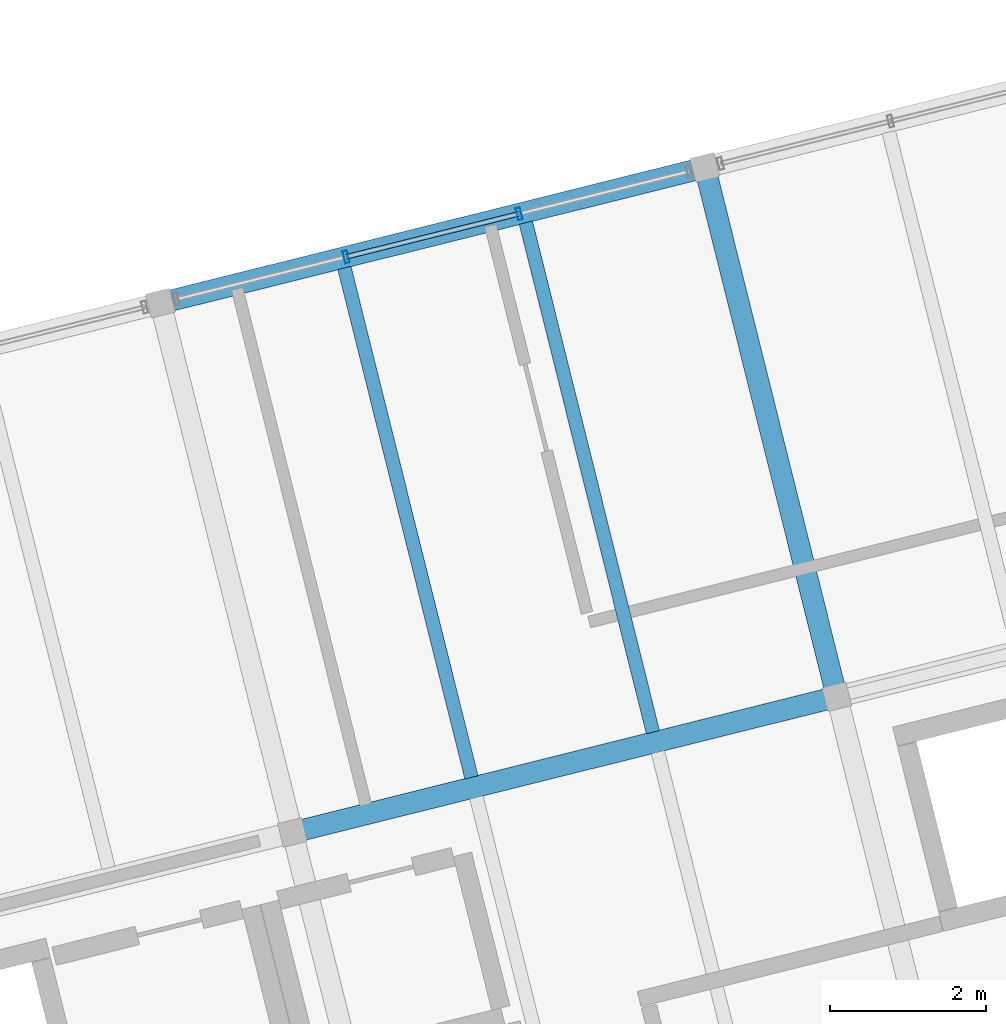
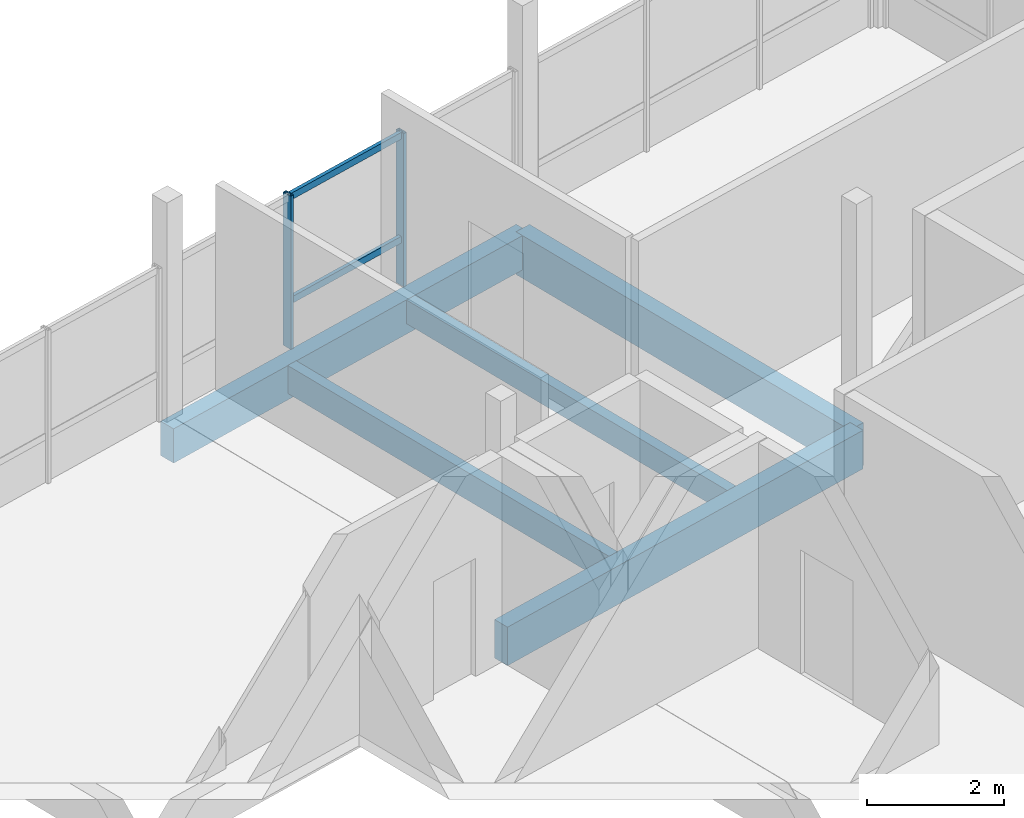
# One storey, part 15 of 24: 5 beams, 4 members, 1 element without a shape of its own.
"""IFC4 building model written with IfcOpenShell, lengths in metres."""

from ifc_helpers import new_model, si_unit, direction, frame, origin, origin_2d, place, context, subcontext, project, spatial, rectangle, hollow_rectangle, extrude, material, layer, layer_set, material_profile, profile_set, type_object, element, aggregate, save


model = new_model("IFC4")

# Units and contexts
model_context = context("Model", 3, precision=1e-05, world=origin(), true_north=direction((0.0, 1.0)))
body_context = subcontext(model_context, "Body", "Model", "MODEL_VIEW")
ifc_project = project(units=[si_unit("LENGTHUNIT", "METRE"), si_unit("AREAUNIT", "SQUARE_METRE"), si_unit("VOLUMEUNIT", "CUBIC_METRE"), si_unit("PLANEANGLEUNIT", "RADIAN"), si_unit("MASSUNIT", "GRAM", prefix="KILO")], contexts=[model_context])

# Site, building, storey
site_placement = place(None, origin())
site = spatial("IfcSite", under=ifc_project, at=site_placement, CompositionType="ELEMENT")
building_placement = place(site_placement, origin())
building = spatial("IfcBuilding", under=site, at=building_placement, Name="Meriwether Solvik Hall", CompositionType="ELEMENT")
storey_placement = place(building_placement, frame((0.0, 0.0, 57.300048828125)))
storey = spatial("IfcBuildingStorey", under=building, at=storey_placement, Name="L14", CompositionType="ELEMENT", Elevation=57.300048828125)

# Beams
ifc_material_1 = material(Name="Glulam Douglas-Fir 24F-V8 GL28h", Category="wood")
ifc_material_profile_1 = material_profile(ifc_material_1, rectangle(XDim=0.27294921875, YDim=0.610107421875, at=origin_2d()), Name="GLB-273X610")
ifc_profile_set_1 = profile_set([ifc_material_profile_1], Name="Glulam Douglas-Fir 24F-V8 GL28h")
beam_type_1 = type_object("IfcBeamType", Name="BM-GL-273X610", PredefinedType="SPANDREL", material=ifc_profile_set_1)
beam_1_placement = place(storey_placement, frame((76.1865234375, 71.94873046875, -0.505126953125), z_axis=(0.970291911955, 0.241937193493, 0.0), x_axis=(-0.241937193493, 0.970291911955, 0.0)))
element("IfcBeam", 1, at=beam_1_placement, inside=storey, type_object=beam_type_1, Name="Tower Girder TE:T3-T4 (L14)", PredefinedType="SPANDREL", context=body_context, shape_type="SweptSolid", body=[
    extrude(rectangle(XDim=0.27294921875, YDim=0.610107421875, at=origin_2d()), origin(), (0.0, 0.0, 1.0), 7.199951171875),
])
ifc_material_2 = material(Name="Glulam Douglas-Fir 24F-V8 GL28h", Category="wood")
ifc_material_profile_2 = material_profile(ifc_material_2, rectangle(XDim=0.27294921875, YDim=0.68505859375, at=origin_2d()), Name="GLB-273X685")
ifc_profile_set_2 = profile_set([ifc_material_profile_2], Name="Glulam Douglas-Fir 24F-V8 GL28h")
beam_type_2 = type_object("IfcBeamType", Name="BM-GL-273X685", PredefinedType="BEAM", material=ifc_profile_set_2)
beam_2_placement = place(storey_placement, frame((77.880126953125, 65.15673828125, -0.54248046875), z_axis=(0.970299871507, 0.241905269381, 0.0), x_axis=(-0.241905269381, 0.970299871507, 0.0)))
element("IfcBeam", 2, at=beam_2_placement, inside=storey, type_object=beam_type_2, Name="Tower Girder TD:T3-T4 (L14)", PredefinedType="BEAM", context=body_context, shape_type="SweptSolid", body=[
    extrude(rectangle(XDim=0.27294921875, YDim=0.68505859375, at=origin_2d()), origin(), (0.0, 0.0, 1.0), 7.199951171875),
])
ifc_material_3 = material(Name="Glulam Douglas-Fir 24F-V8 GL28h", Category="wood")
ifc_material_profile_3 = material_profile(ifc_material_3, rectangle(XDim=0.27294921875, YDim=0.760009765625, at=origin_2d()), Name="GLB-273X760")
ifc_profile_set_3 = profile_set([ifc_material_profile_3], Name="Glulam Douglas-Fir 24F-V8 GL28h")
beam_type_3 = type_object("IfcBeamType", Name="BM-GL-273X760", PredefinedType="BEAM", material=ifc_profile_set_3)
beam_3_placement = place(storey_placement, frame((84.8662109375, 66.8984375, -0.580078125), z_axis=(-0.241936527961, 0.970292077901, 0.0), x_axis=(-0.970292077901, -0.241936527961, 0.0)))
element("IfcBeam", 3, at=beam_3_placement, inside=storey, type_object=beam_type_3, Name="Tower Girder T4:TD-TE (L14)", PredefinedType="BEAM", context=body_context, shape_type="SweptSolid", body=[
    extrude(rectangle(XDim=0.27294921875, YDim=0.760009765625, at=origin_2d()), origin(), (0.0, 0.0, 1.0), 7.000244140625),
])

# Curtain wall, members
ifc_material_4 = material(Name="Thermally Broken Anodised Aluminium 6063-T6 and Low-E Glass", Category="aluminium")
ifc_layer = layer(ifc_material_4, 0.179931640625)
ifc_layer_set = layer_set([ifc_layer], Name="Thermally Broken Anodised Aluminium 6063-T6 and Low-E Glass")
curtain_wall_type = type_object("IfcCurtainWallType", Name="CW-UNIT-B", PredefinedType="USERDEFINED", material=ifc_layer_set)
curtain_wall_placement = place(storey_placement, origin())
curtain_wall = element("IfcCurtainWall", 4, at=curtain_wall_placement, inside=storey, type_object=curtain_wall_type, Name="Curtain Wall E2_B2 (L14)", ObjectType="UNITISED CURTAIN WALL", PredefinedType="USERDEFINED")
ifc_material_5 = material(Name="Anodised Aluminium 6063-T6", Category="aluminium")
ifc_material_profile_4 = material_profile(ifc_material_5, hollow_rectangle(XDim=0.06005859375, YDim=0.159912109375, WallThickness=0.00390625, at=origin_2d()), Name="CWM-60X160")
ifc_profile_set_4 = profile_set([ifc_material_profile_4], Name="Anodised Aluminium 6063-T6")
member_type_1 = type_object("IfcMemberType", Name="CW-MUL-60X160", PredefinedType="MULLION", material=ifc_profile_set_4)
member_1_placement = place(storey_placement, frame((78.570068359375, 72.54296875, 0.0), z_axis=(0.0, 0.0, 1.0), x_axis=(0.970295730764, 0.241921877598, 0.0)))
member_1 = element("IfcMember", 5, at=member_1_placement, type_object=member_type_1, Name="Curtain Wall Mullion 2", PredefinedType="MULLION", context=body_context, shape_type="SweptSolid", body=[
    extrude(hollow_rectangle(XDim=0.06005859375, YDim=0.159912109375, WallThickness=0.00390625, at=origin_2d()), origin(), (0.0, 0.0, 1.0), 2.724853515625),
])
member_2_placement = place(storey_placement, frame((80.7890625, 73.09619140625, 0.0), z_axis=(0.0, 0.0, 1.0), x_axis=(0.970295730764, 0.241921877598, 0.0)))
member_2 = element("IfcMember", 6, at=member_2_placement, type_object=member_type_1, Name="Curtain Wall Mullion 3", PredefinedType="MULLION", context=body_context, shape_type="SweptSolid", body=[
    extrude(hollow_rectangle(XDim=0.06005859375, YDim=0.159912109375, WallThickness=0.00390625, at=origin_2d()), origin(), (0.0, 0.0, 1.0), 2.724853515625),
])
ifc_material_6 = material(Name="Anodised Aluminium 6063-T6", Category="aluminium")
ifc_material_profile_5 = material_profile(ifc_material_6, hollow_rectangle(XDim=0.06005859375, YDim=0.1201171875, WallThickness=0.00390625, at=origin_2d()), Name="CWT-60X120")
ifc_profile_set_5 = profile_set([ifc_material_profile_5], Name="Anodised Aluminium 6063-T6")
member_type_2 = type_object("IfcMemberType", Name="CW-TRN-60X120", PredefinedType="USERDEFINED", material=ifc_profile_set_5)
member_3_placement = place(storey_placement, frame((78.570068359375, 72.54296875, 0.8173828125), z_axis=(0.97029929005, 0.241907601634, 0.0), x_axis=(-0.241907601634, 0.97029929005, 0.0)))
member_3 = element("IfcMember", 7, at=member_3_placement, type_object=member_type_2, Name="Curtain Wall Transom 2-sill", ObjectType="TRANSOM", PredefinedType="USERDEFINED", context=body_context, shape_type="SweptSolid", body=[
    extrude(hollow_rectangle(XDim=0.06005859375, YDim=0.1201171875, WallThickness=0.00390625, at=origin_2d()), origin(), (0.0, 0.0, 1.0), 2.286865234375),
])
member_4_placement = place(storey_placement, frame((78.570068359375, 72.54296875, 2.6650390625), z_axis=(0.97029929005, 0.241907601634, 0.0), x_axis=(-0.241907601634, 0.97029929005, 0.0)))
member_4 = element("IfcMember", 8, at=member_4_placement, type_object=member_type_2, Name="Curtain Wall Transom 2-head", ObjectType="TRANSOM", PredefinedType="USERDEFINED", context=body_context, shape_type="SweptSolid", body=[
    extrude(hollow_rectangle(XDim=0.06005859375, YDim=0.1201171875, WallThickness=0.00390625, at=origin_2d()), origin(), (0.0, 0.0, 1.0), 2.286865234375),
])
aggregate(curtain_wall, [member_1, member_2, member_3, member_4])

# Beams
ifc_material_7 = material(Name="Glulam Douglas-Fir 24F-V8 GL28h", Category="wood")
ifc_material_profile_6 = material_profile(ifc_material_7, rectangle(XDim=0.175048828125, YDim=0.419921875, at=origin_2d()), Name="GLJ-175X420")
ifc_profile_set_6 = profile_set([ifc_material_profile_6], Name="Glulam Douglas-Fir 24F-V8 GL28h")
beam_type_4 = type_object("IfcBeamType", Name="JST-GL-175X420", PredefinedType="JOIST", material=ifc_profile_set_6)
beam_4_placement = place(storey_placement, frame((82.505615234375, 66.445556640625, -0.41015625), z_axis=(-0.241930176813, 0.9702936615, 0.0), x_axis=(-0.9702936615, -0.241930176813, 0.0)))
element("IfcBeam", 9, at=beam_4_placement, inside=storey, type_object=beam_type_4, Name="Glulam Floor Joist T3/TD-J2 (L14)", PredefinedType="JOIST", context=body_context, shape_type="SweptSolid", body=[
    extrude(rectangle(XDim=0.175048828125, YDim=0.419921875, at=origin_2d()), origin(), (0.0, 0.0, 1.0), 6.737060546875),
])
ifc_material_8 = material(Name="Glulam Douglas-Fir 24F-V8 GL28h", Category="wood")
ifc_material_profile_7 = material_profile(ifc_material_8, rectangle(XDim=0.175048828125, YDim=0.4951171875, at=origin_2d()), Name="GLJ-175X495")
ifc_profile_set_7 = profile_set([ifc_material_profile_7], Name="Glulam Douglas-Fir 24F-V8 GL28h")
beam_type_5 = type_object("IfcBeamType", Name="JST-GL-175X495", PredefinedType="JOIST", material=ifc_profile_set_7)
beam_5_placement = place(storey_placement, frame((80.177001953125, 65.86474609375, -0.447509765625), z_axis=(-0.241921670289, 0.970295782452, 0.0), x_axis=(-0.970295782452, -0.241921670289, 0.0)))
element("IfcBeam", 10, at=beam_5_placement, inside=storey, type_object=beam_type_5, Name="Glulam Floor Joist T3/TD-J1 (L14)", PredefinedType="JOIST", context=body_context, shape_type="SweptSolid", body=[
    extrude(rectangle(XDim=0.175048828125, YDim=0.4951171875, at=origin_2d()), origin(), (0.0, 0.0, 1.0), 6.7373046875),
])

save(model, "model.ifc")
